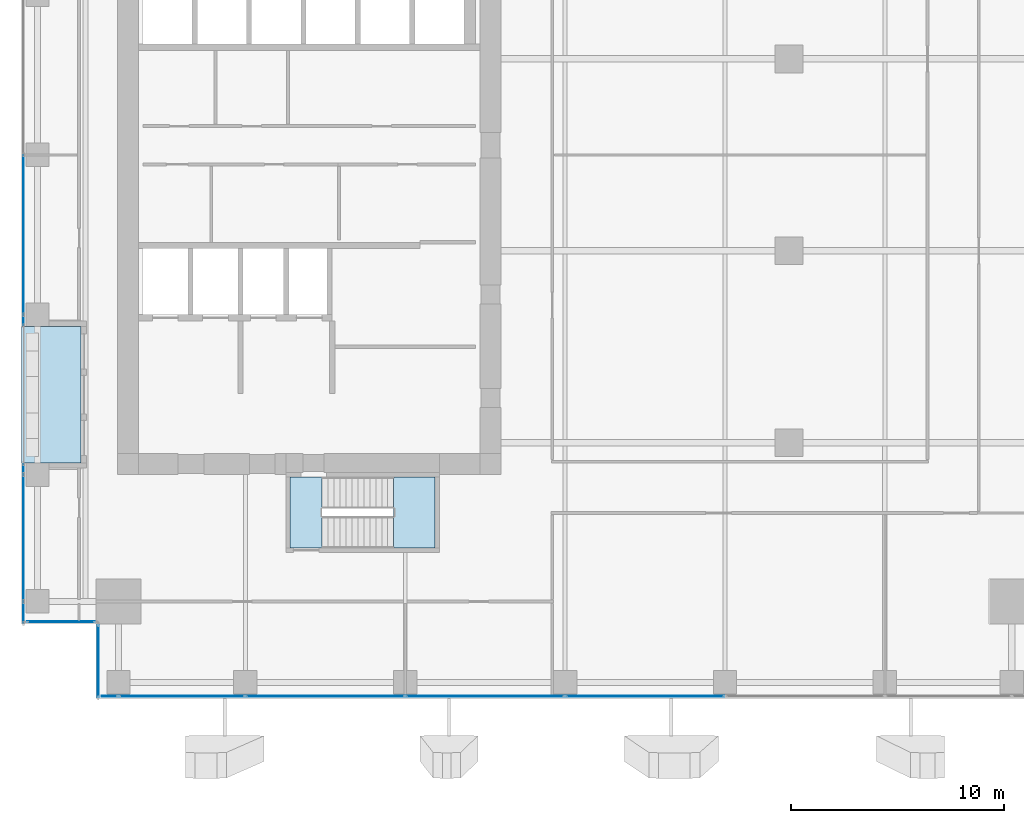
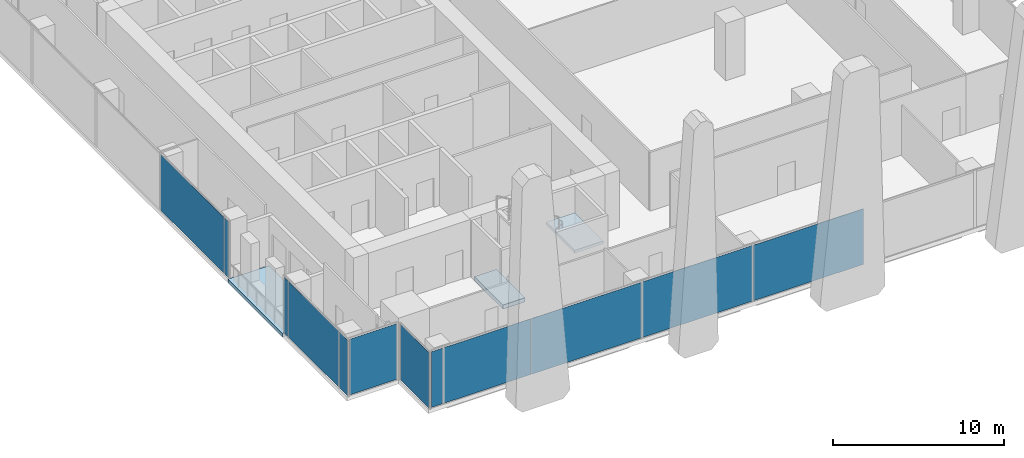
# One storey, part 23 of 35: 12 plates, 3 slabs, 6 elements without a shape of their own.
"""IFC4 building model written with IfcOpenShell, lengths in metres."""

from ifc_helpers import new_model, si_unit, direction, frame, origin, origin_2d, place, context, subcontext, project, spatial, polyline, rectangle, outline, extrude, source, transform, mapped, material, layer, layer_set, type_object, element, aggregate, save


model = new_model("IFC4")

# Units and contexts
model_context = context("Model", 3, precision=1e-05, world=origin(), true_north=direction((0.0, 1.0)))
body_context = subcontext(model_context, "Body", "Model", "MODEL_VIEW")
ifc_project = project(units=[si_unit("LENGTHUNIT", "METRE"), si_unit("AREAUNIT", "SQUARE_METRE"), si_unit("VOLUMEUNIT", "CUBIC_METRE"), si_unit("PLANEANGLEUNIT", "RADIAN"), si_unit("MASSUNIT", "GRAM", prefix="KILO")], contexts=[model_context])

# Site, building, storey
site_placement = place(None, origin())
site = spatial("IfcSite", under=ifc_project, at=site_placement, CompositionType="ELEMENT")
building_placement = place(site_placement, origin())
building = spatial("IfcBuilding", under=site, at=building_placement, Name="Khomas Fold Tower", CompositionType="ELEMENT")
storey_placement = place(building_placement, frame((0.0, 0.0, 119.10009765625)))
storey = spatial("IfcBuildingStorey", under=building, at=storey_placement, Name="L25", CompositionType="ELEMENT", Elevation=119.10009765625)

# Curtain wall, plates
ifc_material_1 = material(Name="Aluminium framed double glazing", Category="aluminium")
curtain_wall_type = type_object("IfcCurtainWallType", Name="SK-Unitised clear-glass wall, growing floors CW1", PredefinedType="NOTDEFINED", material=ifc_material_1)
curtain_wall_1_placement = place(storey_placement, origin())
curtain_wall_1 = element("IfcCurtainWall", 1, at=curtain_wall_1_placement, inside=storey, type_object=curtain_wall_type, Name="CW1 run L25 00-0", PredefinedType="NOTDEFINED")
ifc_material_2 = material(Name="Clear double glazed unit")
ifc_layer_1 = layer(ifc_material_2, 0.031982421875)
ifc_layer_set_1 = layer_set([ifc_layer_1], Name="Clear double glazed unit")
plate_type = type_object("IfcPlateType", Name="SK-Unitised clear-glass wall, growing floors glass panel CW1-P", PredefinedType="CURTAIN_PANEL", material=ifc_layer_set_1)
shared_shape_1 = source(origin(), body_context, "Body", "SweptSolid", [
    extrude(rectangle(XDim=0.760009765625, YDim=0.031982421875, at=origin_2d()), origin(), (0.0, 0.0, 1.0), 3.97998046875),
])
plate_1_placement = place(storey_placement, frame((5.639892578125, 1.60009765625, 0.0), z_axis=(0.0, 0.0, 1.0), x_axis=(1.0, 0.0, 0.0)))
plate_1 = element("IfcPlate", 2, at=plate_1_placement, type_object=plate_type, Name="CW1 glass panel 1", PredefinedType="CURTAIN_PANEL", context=body_context, shape_type="MappedRepresentation", body=[
    mapped(shared_shape_1, transform((0.0, 0.0, 0.0))),
])
shared_shape_2 = source(origin(), body_context, "Body", "SweptSolid", [
    extrude(rectangle(XDim=5.889892578125, YDim=0.031982421875, at=origin_2d()), origin(), (0.0, 0.0, 1.0), 3.97998046875),
])
plate_2_placement = place(storey_placement, frame((9.02490234375, 1.60009765625, 0.0), z_axis=(0.0, 0.0, 1.0), x_axis=(1.0, 0.0, 0.0)))
plate_2 = element("IfcPlate", 3, at=plate_2_placement, type_object=plate_type, Name="CW1 glass panel 2", PredefinedType="CURTAIN_PANEL", context=body_context, shape_type="MappedRepresentation", body=[
    mapped(shared_shape_2, transform((0.0, 0.0, 0.0))),
])

# Curtain wall, plate
curtain_wall_2_placement = place(storey_placement, origin())
curtain_wall_2 = element("IfcCurtainWall", 4, at=curtain_wall_2_placement, inside=storey, type_object=curtain_wall_type, Name="CW1 run L25 09-1", PredefinedType="NOTDEFINED")
plate_3_placement = place(storey_placement, frame((1.60009765625, 9.02490234375, 0.0), z_axis=(0.0, 0.0, 1.0), x_axis=(0.0, -1.0, 0.0)))
plate_3 = element("IfcPlate", 5, at=plate_3_placement, type_object=plate_type, Name="CW1 glass panel 2", PredefinedType="CURTAIN_PANEL", context=body_context, shape_type="MappedRepresentation", body=[
    mapped(shared_shape_2, transform((0.0, 0.0, 0.0))),
])

# Plate
shared_shape_3 = source(origin(), body_context, "Body", "SweptSolid", [
    extrude(rectangle(XDim=7.43994140625, YDim=0.031982421875, at=origin_2d()), origin(), (0.0, 0.0, 1.0), 3.97998046875),
])
plate_4_placement = place(storey_placement, frame((15.75, 1.60009765625, 0.0), z_axis=(0.0, 0.0, 1.0), x_axis=(1.0, 0.0, 0.0)))
plate_4 = element("IfcPlate", 6, at=plate_4_placement, type_object=plate_type, Name="CW1 glass panel 3", PredefinedType="CURTAIN_PANEL", context=body_context, shape_type="MappedRepresentation", body=[
    mapped(shared_shape_3, transform((0.0, 0.0, 0.0))),
])

plate_5_placement = place(storey_placement, frame((23.25, 1.60009765625, 0.0), z_axis=(0.0, 0.0, 1.0), x_axis=(1.0, 0.0, 0.0)))
plate_5 = element("IfcPlate", 7, at=plate_5_placement, type_object=plate_type, Name="CW1 glass panel 4", PredefinedType="CURTAIN_PANEL", context=body_context, shape_type="MappedRepresentation", body=[
    mapped(shared_shape_3, transform((0.0, 0.0, 0.0))),
])

plate_6_placement = place(storey_placement, frame((30.75, 1.60009765625, 0.0), z_axis=(0.0, 0.0, 1.0), x_axis=(1.0, 0.0, 0.0)))
plate_6 = element("IfcPlate", 8, at=plate_6_placement, type_object=plate_type, Name="CW1 glass panel 5", PredefinedType="CURTAIN_PANEL", context=body_context, shape_type="MappedRepresentation", body=[
    mapped(shared_shape_3, transform((0.0, 0.0, 0.0))),
])

aggregate(curtain_wall_1, [plate_1, plate_2, plate_4, plate_5, plate_6])

# Curtain wall, plate
curtain_wall_3_placement = place(storey_placement, origin())
curtain_wall_3 = element("IfcCurtainWall", 9, at=curtain_wall_3_placement, inside=storey, type_object=curtain_wall_type, Name="CW1 run L25 09-0", PredefinedType="NOTDEFINED")
plate_7_placement = place(storey_placement, frame((1.60009765625, 23.25, 0.0), z_axis=(0.0, 0.0, 1.0), x_axis=(0.0, -1.0, 0.0)))
plate_7 = element("IfcPlate", 10, at=plate_7_placement, type_object=plate_type, Name="CW1 glass panel 5", PredefinedType="CURTAIN_PANEL", context=body_context, shape_type="MappedRepresentation", body=[
    mapped(shared_shape_3, transform((0.0, 0.0, 0.0))),
])

# Plate
shared_shape_4 = source(origin(), body_context, "Body", "SweptSolid", [
    extrude(rectangle(XDim=0.9599609375, YDim=0.031982421875, at=origin_2d()), origin(), (0.0, 0.0, 1.0), 3.97998046875),
])
plate_8_placement = place(storey_placement, frame((1.60009765625, 5.5400390625, 0.0), z_axis=(0.0, 0.0, 1.0), x_axis=(0.0, -1.0, 0.0)))
plate_8 = element("IfcPlate", 11, at=plate_8_placement, type_object=plate_type, Name="CW1 glass panel 3", PredefinedType="CURTAIN_PANEL", context=body_context, shape_type="MappedRepresentation", body=[
    mapped(shared_shape_4, transform((0.0, 0.0, 0.0))),
])

# Curtain wall, plate
curtain_wall_4_placement = place(storey_placement, origin())
curtain_wall_4 = element("IfcCurtainWall", 12, at=curtain_wall_4_placement, inside=storey, type_object=curtain_wall_type, Name="CW1 corner return L25 10", PredefinedType="NOTDEFINED")
shared_shape_5 = source(origin(), body_context, "Body", "SweptSolid", [
    extrude(rectangle(XDim=3.179931640625, YDim=0.031982421875, at=origin_2d()), origin(), (0.0, 0.0, 1.0), 3.97998046875),
])
plate_9_placement = place(storey_placement, frame((3.35009765625, 5.10009765625, 0.0), z_axis=(0.0, 0.0, 1.0), x_axis=(1.0, 0.0, 0.0)))
plate_9 = element("IfcPlate", 13, at=plate_9_placement, type_object=plate_type, Name="CW1 glass panel 1", PredefinedType="CURTAIN_PANEL", context=body_context, shape_type="MappedRepresentation", body=[
    mapped(shared_shape_5, transform((0.0, 0.0, 0.0))),
])
aggregate(curtain_wall_4, [plate_9])

curtain_wall_5_placement = place(storey_placement, origin())
curtain_wall_5 = element("IfcCurtainWall", 14, at=curtain_wall_5_placement, inside=storey, type_object=curtain_wall_type, Name="CW1 corner return L25 11", PredefinedType="NOTDEFINED")
shared_shape_6 = source(origin(), body_context, "Body", "SweptSolid", [
    extrude(rectangle(XDim=3.3798828125, YDim=0.031982421875, at=origin_2d()), origin(), (0.0, 0.0, 1.0), 3.97998046875),
])
plate_10_placement = place(storey_placement, frame((5.10009765625, 3.25, 0.0), z_axis=(0.0, 0.0, 1.0), x_axis=(0.0, -1.0, 0.0)))
plate_10 = element("IfcPlate", 15, at=plate_10_placement, type_object=plate_type, Name="CW1 glass panel 1", PredefinedType="CURTAIN_PANEL", context=body_context, shape_type="MappedRepresentation", body=[
    mapped(shared_shape_6, transform((0.0, 0.0, 0.0))),
])
aggregate(curtain_wall_5, [plate_10])

# Plate
shared_shape_7 = source(origin(), body_context, "Body", "SweptSolid", [
    extrude(rectangle(XDim=0.4599609375, YDim=0.031982421875, at=origin_2d()), origin(), (0.0, 0.0, 1.0), 3.97998046875),
])
plate_11_placement = place(storey_placement, frame((1.60009765625, 19.239990234375, 0.0), z_axis=(0.0, 0.0, 1.0), x_axis=(0.0, -1.0, 0.0)))
plate_11 = element("IfcPlate", 16, at=plate_11_placement, type_object=plate_type, Name="CW1 glass panel 6", PredefinedType="CURTAIN_PANEL", context=body_context, shape_type="MappedRepresentation", body=[
    mapped(shared_shape_7, transform((0.0, 0.0, 0.0))),
])

aggregate(curtain_wall_3, [plate_7, plate_11])

plate_12_placement = place(storey_placement, frame((1.60009765625, 12.260009765625, 0.0), z_axis=(0.0, 0.0, 1.0), x_axis=(0.0, -1.0, 0.0)))
plate_12 = element("IfcPlate", 17, at=plate_12_placement, type_object=plate_type, Name="CW1 glass panel 1", PredefinedType="CURTAIN_PANEL", context=body_context, shape_type="MappedRepresentation", body=[
    mapped(shared_shape_7, transform((0.0, 0.0, 0.0))),
])

aggregate(curtain_wall_2, [plate_12, plate_3, plate_8])

# Slab
ifc_material_3 = material(Name="Concrete C40/50", Category="concrete")
ifc_layer_2 = layer(ifc_material_3, 0.2548828125)
ifc_layer_set_2 = layer_set([ifc_layer_2], Name="Concrete C40/50")
slab_type_1 = type_object("IfcSlabType", Name="BL-Balcony deck 255", PredefinedType="FLOOR", material=ifc_layer_set_2)
shared_shape_8 = source(origin(), body_context, "Body", "SweptSolid", [
    extrude(outline(polyline([(1.5, 12.550048828125), (4.300048828125, 12.550048828125), (4.300048828125, 18.949951171875), (1.5, 18.949951171875), (1.5, 12.550048828125)])), origin(), (0.0, 0.0, 1.0), 0.2548828125),
])
slab_1_placement = place(storey_placement, frame((0.0, 0.0, -0.300048828125)))
element("IfcSlab", 18, at=slab_1_placement, inside=storey, type_object=slab_type_1, Name="Balcony deck BAL-L25-W1", PredefinedType="FLOOR", context=body_context, shape_type="MappedRepresentation", body=[
    mapped(shared_shape_8, transform((0.0, 0.0, 0.0))),
])

# Stair, slab
ifc_material_4 = material(Name="Concrete C40/50", Category="concrete")
stair_type = type_object("IfcStairType", Name="Stair ST2", PredefinedType="HALF_TURN_STAIR", material=ifc_material_4)
stair_placement = place(storey_placement, origin())
stair = element("IfcStair", 19, at=stair_placement, inside=storey, type_object=stair_type, Name="L25 ST2", PredefinedType="HALF_TURN_STAIR")
ifc_material_5 = material(Name="Concrete C40/50", Category="concrete")
ifc_layer_3 = layer(ifc_material_5, 0.199951171875)
ifc_layer_set_3 = layer_set([ifc_layer_3], Name="Concrete C40/50")
slab_type_2 = type_object("IfcSlabType", Name="Stair landing 200", PredefinedType="LANDING", material=ifc_layer_set_3)
shared_shape_9 = source(origin(), body_context, "Body", "SweptSolid", [
    extrude(outline(polyline([(18.9599609375, 8.550048828125), (20.89990234375, 8.550048828125), (20.89990234375, 11.89990234375), (18.9599609375, 11.89990234375), (18.9599609375, 8.550048828125)])), origin(), (0.0, 0.0, 1.0), 0.199951171875),
])
slab_2_placement = place(storey_placement, frame((0.0, 0.0, 2.0)))
slab_2 = element("IfcSlab", 20, at=slab_2_placement, type_object=slab_type_2, Name="ST2 landing 1", PredefinedType="LANDING", context=body_context, shape_type="MappedRepresentation", body=[
    mapped(shared_shape_9, transform((0.0, 0.0, 0.0))),
])
aggregate(stair, [slab_2])

# Slab
ifc_material_6 = material(Name="Concrete C40/50", Category="concrete")
ifc_layer_4 = layer(ifc_material_6, 0.300048828125)
ifc_layer_set_4 = layer_set([ifc_layer_4], Name="Concrete C40/50")
slab_type_3 = type_object("IfcSlabType", Name="Stair floor landing 300", PredefinedType="LANDING", material=ifc_layer_set_4)
shared_shape_10 = source(origin(), body_context, "Body", "SweptSolid", [
    extrude(outline(polyline([(15.60009765625, 8.550048828125), (14.10009765625, 8.550048828125), (14.10009765625, 11.89990234375), (15.60009765625, 11.89990234375), (15.60009765625, 8.550048828125)])), origin(), (0.0, 0.0, 1.0), 0.300048828125),
])
slab_3_placement = place(storey_placement, frame((0.0, 0.0, -0.300048828125)))
element("IfcSlab", 21, at=slab_3_placement, inside=storey, type_object=slab_type_3, Name="ST2 floor landing", PredefinedType="LANDING", context=body_context, shape_type="MappedRepresentation", body=[
    mapped(shared_shape_10, transform((0.0, 0.0, 0.0))),
])

save(model, "model.ifc")
